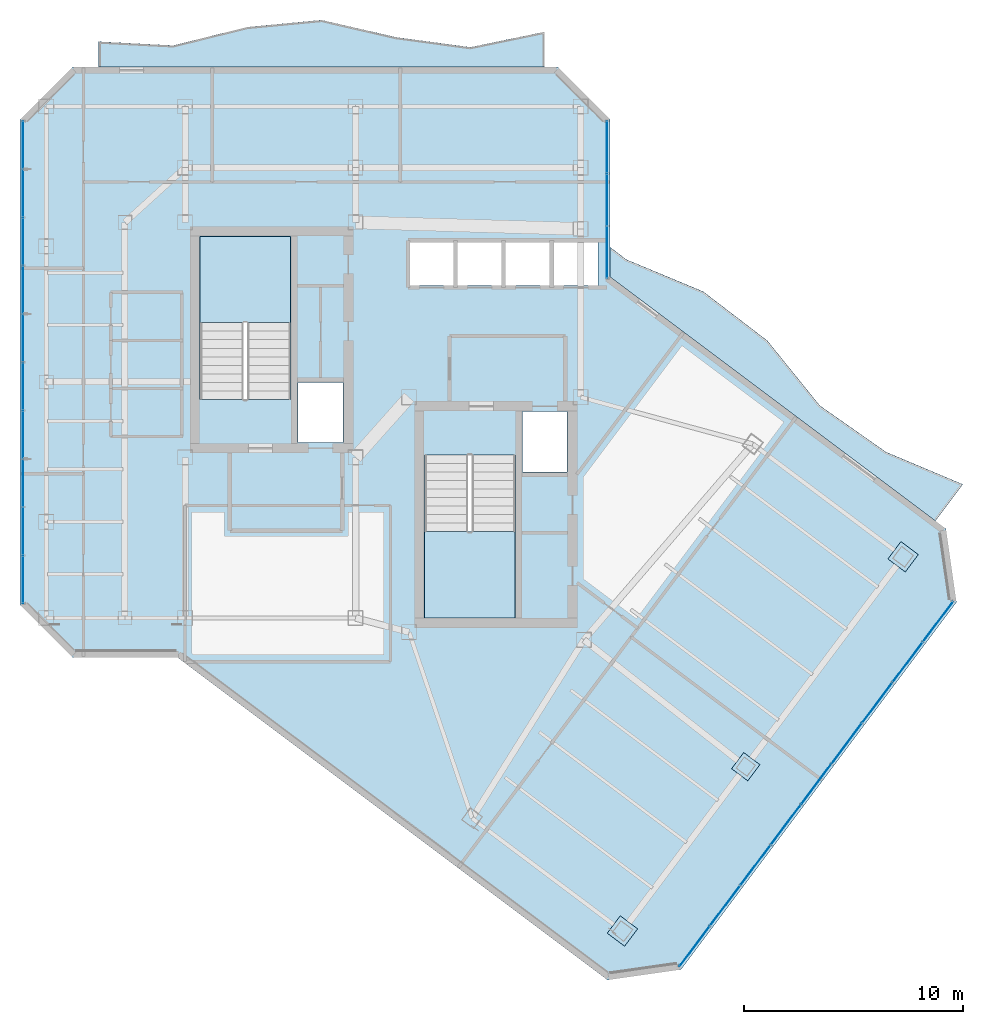
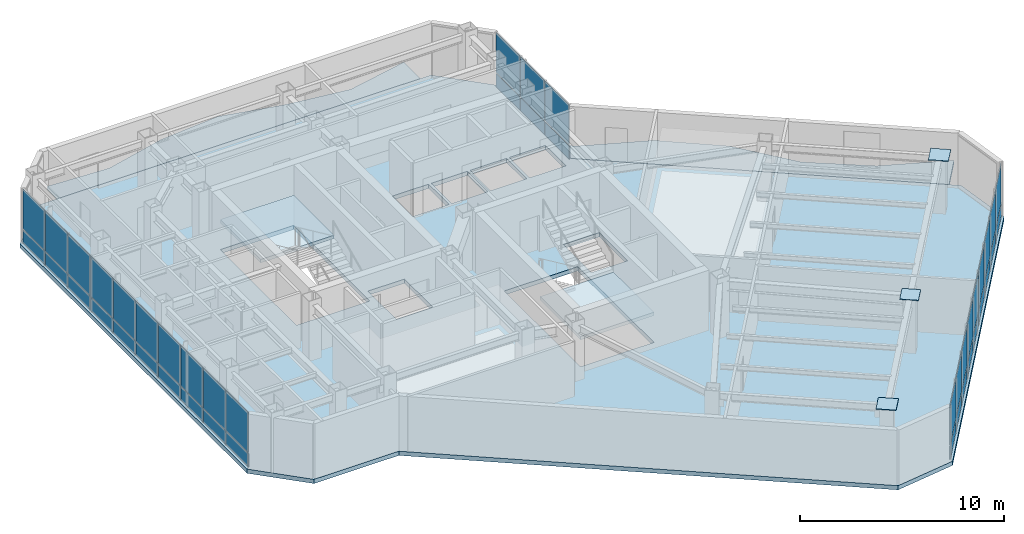
# One storey, part 18 of 25: 47 plates, 5 slabs, 5 elements without a shape of their own.
"""IFC4 building model written with IfcOpenShell, lengths in metres."""

from ifc_helpers import new_model, si_unit, direction, frame, origin, origin_2d, place, context, subcontext, project, spatial, polyline, rectangle, outline, extrude, material, layer, layer_set, type_object, element, aggregate, save


model = new_model("IFC4")

# Units and contexts
model_context = context("Model", 3, precision=1e-05, world=origin(), true_north=direction((0.0, 1.0)))
body_context = subcontext(model_context, "Body", "Model", "MODEL_VIEW")
ifc_project = project(units=[si_unit("LENGTHUNIT", "METRE"), si_unit("AREAUNIT", "SQUARE_METRE"), si_unit("VOLUMEUNIT", "CUBIC_METRE"), si_unit("PLANEANGLEUNIT", "RADIAN"), si_unit("MASSUNIT", "GRAM", prefix="KILO")], contexts=[model_context])

# Site, building, storey
site_placement = place(None, origin())
site = spatial("IfcSite", under=ifc_project, at=site_placement, CompositionType="ELEMENT")
building_placement = place(site_placement, origin())
building = spatial("IfcBuilding", under=site, at=building_placement, Name="Hatsunagi Terrace Concourse", CompositionType="ELEMENT")
storey_placement = place(building_placement, frame((0.0, 0.0, 231.14990234375)))
storey = spatial("IfcBuildingStorey", under=building, at=storey_placement, Name="L61", CompositionType="ELEMENT", Elevation=231.14990234375)

# Plates
ifc_material_1 = material(Name="Steel SN490C", Category="steel")
ifc_layer_1 = layer(ifc_material_1, 0.031982421875)
ifc_layer_set_1 = layer_set([ifc_layer_1], Name="ColumnEndCapPlate_32")
plate_type_1 = type_object("IfcPlateType", Name="ColumnEndCapPlate_32", PredefinedType="USERDEFINED", material=ifc_layer_set_1)
for number, where, z_axis, x_axis, name in (
    (1, (45.56005859375, 10.8798828125, 3.26806640625), (0.0, 0.0, 1.0), (0.799999996291, -0.600000004945, 0.0), "Hollow Column Top Cap Plate GP-03 L61-SES2"),
    (2, (58.39990234375, 28.0, 3.26806640625), (0.0, 0.0, 1.0), (0.799999996291, -0.600000004945, 0.0), "Hollow Column Top Cap Plate GP-03 L61-SEN2"),
):
    element("IfcPlate", number, at=place(storey_placement, frame(where, z_axis=z_axis, x_axis=x_axis)), inside=storey, type_object=plate_type_1, Name=name, ObjectType="GUSSET_PLATE", PredefinedType="USERDEFINED", context=body_context, shape_type="SweptSolid", body=[
        extrude(rectangle(XDim=0.993896484375, YDim=0.993896484375, at=origin_2d()), origin(), (0.0, 0.0, 1.0), 0.031982421875),
    ])
plate_1_placement = place(storey_placement, frame((51.199951171875, 18.39990234375, 3.26806640625), z_axis=(0.0, 0.0, 1.0), x_axis=(0.799999996291, -0.600000004945, 0.0)))
element("IfcPlate", 3, at=plate_1_placement, inside=storey, type_object=plate_type_1, Name="Hollow Column Top Cap Plate GP-03 L61-SEM2", ObjectType="GUSSET_PLATE", PredefinedType="USERDEFINED", context=body_context, shape_type="SweptSolid", body=[
    extrude(rectangle(XDim=0.923095703125, YDim=0.923095703125, at=origin_2d()), origin(), (0.0, 0.0, 1.0), 0.031982421875),
])

# Curtain wall, plates
ifc_material_2 = material(Name="Anodised Aluminium Alloy 6063-T5", Category="aluminium")
ifc_layer_2 = layer(ifc_material_2, 0.199951171875)
ifc_layer_set_2 = layer_set([ifc_layer_2], Name="OfficeZone2_CW04")
curtain_wall_type = type_object("IfcCurtainWallType", Name="OfficeZone2_CW04", PredefinedType="NOTDEFINED", material=ifc_layer_set_2)
curtain_wall_1_placement = place(storey_placement, origin())
curtain_wall_1 = element("IfcCurtainWall", 4, at=curtain_wall_1_placement, inside=storey, type_object=curtain_wall_type, Name="Unitised Curtain Wall CW-04 CW-L61-03", PredefinedType="NOTDEFINED")
ifc_material_3 = material(Name="Warm Terracotta Ceramic Spandrel Panel", Category="masonry")
ifc_layer_3 = layer(ifc_material_3, 0.031982421875)
ifc_layer_set_3 = layer_set([ifc_layer_3], Name="CurtainWallSpandrelPanel_32")
plate_type_2 = type_object("IfcPlateType", Name="CurtainWallSpandrelPanel_32", PredefinedType="SHEET", material=ifc_layer_set_3)
plate_2_placement = place(storey_placement, frame((59.9970703125, 25.030029296875, 0.030029296875), z_axis=(0.0, 0.0, 1.0), x_axis=(-0.599969314634, -0.800023013105, 0.0)))
plate_2 = element("IfcPlate", 5, at=plate_2_placement, type_object=plate_type_2, Name="Terracotta Spandrel Panel SPN-01", PredefinedType="SHEET", context=body_context, shape_type="SweptSolid", body=[
    extrude(rectangle(XDim=2.264892578125, YDim=0.031982421875, at=origin_2d()), origin(), (0.0, 0.0, 1.0), 0.7900390625),
])
plate_3_placement = place(storey_placement, frame((58.60498046875, 23.173095703125, 0.030029296875), z_axis=(0.0, 0.0, 1.0), x_axis=(-0.599969314634, -0.800023013105, 0.0)))
plate_3 = element("IfcPlate", 6, at=plate_3_placement, type_object=plate_type_2, Name="Terracotta Spandrel Panel SPN-01", PredefinedType="SHEET", context=body_context, shape_type="SweptSolid", body=[
    extrude(rectangle(XDim=2.264892578125, YDim=0.031982421875, at=origin_2d()), origin(), (0.0, 0.0, 1.0), 0.7900390625),
])
plate_4_placement = place(storey_placement, frame((57.2119140625, 21.31689453125, 0.030029296875), z_axis=(0.0, 0.0, 1.0), x_axis=(-0.599969314634, -0.800023013105, 0.0)))
plate_4 = element("IfcPlate", 7, at=plate_4_placement, type_object=plate_type_2, Name="Terracotta Spandrel Panel SPN-01", PredefinedType="SHEET", context=body_context, shape_type="SweptSolid", body=[
    extrude(rectangle(XDim=2.264892578125, YDim=0.031982421875, at=origin_2d()), origin(), (0.0, 0.0, 1.0), 0.7900390625),
])
plate_5_placement = place(storey_placement, frame((55.820068359375, 19.4599609375, 0.030029296875), z_axis=(0.0, 0.0, 1.0), x_axis=(-0.599969314634, -0.800023013105, 0.0)))
plate_5 = element("IfcPlate", 8, at=plate_5_placement, type_object=plate_type_2, Name="Terracotta Spandrel Panel SPN-01", PredefinedType="SHEET", context=body_context, shape_type="SweptSolid", body=[
    extrude(rectangle(XDim=2.264892578125, YDim=0.031982421875, at=origin_2d()), origin(), (0.0, 0.0, 1.0), 0.7900390625),
])
plate_6_placement = place(storey_placement, frame((54.427978515625, 17.60400390625, 0.030029296875), z_axis=(0.0, 0.0, 1.0), x_axis=(-0.599969314634, -0.800023013105, 0.0)))
plate_6 = element("IfcPlate", 9, at=plate_6_placement, type_object=plate_type_2, Name="Terracotta Spandrel Panel SPN-01", PredefinedType="SHEET", context=body_context, shape_type="SweptSolid", body=[
    extrude(rectangle(XDim=2.264892578125, YDim=0.031982421875, at=origin_2d()), origin(), (0.0, 0.0, 1.0), 0.7900390625),
])
plate_7_placement = place(storey_placement, frame((53.035888671875, 15.748046875, 0.030029296875), z_axis=(0.0, 0.0, 1.0), x_axis=(-0.599969314634, -0.800023013105, 0.0)))
plate_7 = element("IfcPlate", 10, at=plate_7_placement, type_object=plate_type_2, Name="Terracotta Spandrel Panel SPN-01", PredefinedType="SHEET", context=body_context, shape_type="SweptSolid", body=[
    extrude(rectangle(XDim=2.264892578125, YDim=0.031982421875, at=origin_2d()), origin(), (0.0, 0.0, 1.0), 0.7900390625),
])
plate_8_placement = place(storey_placement, frame((51.64404296875, 13.89111328125, 0.030029296875), z_axis=(0.0, 0.0, 1.0), x_axis=(-0.599969314634, -0.800023013105, 0.0)))
plate_8 = element("IfcPlate", 11, at=plate_8_placement, type_object=plate_type_2, Name="Terracotta Spandrel Panel SPN-01", PredefinedType="SHEET", context=body_context, shape_type="SweptSolid", body=[
    extrude(rectangle(XDim=2.264892578125, YDim=0.031982421875, at=origin_2d()), origin(), (0.0, 0.0, 1.0), 0.7900390625),
])
plate_9_placement = place(storey_placement, frame((50.2509765625, 12.034912109375, 0.030029296875), z_axis=(0.0, 0.0, 1.0), x_axis=(-0.599969314634, -0.800023013105, 0.0)))
plate_9 = element("IfcPlate", 12, at=plate_9_placement, type_object=plate_type_2, Name="Terracotta Spandrel Panel SPN-01", PredefinedType="SHEET", context=body_context, shape_type="SweptSolid", body=[
    extrude(rectangle(XDim=2.264892578125, YDim=0.031982421875, at=origin_2d()), origin(), (0.0, 0.0, 1.0), 0.7900390625),
])
plate_10_placement = place(storey_placement, frame((48.85888671875, 10.177978515625, 0.030029296875), z_axis=(0.0, 0.0, 1.0), x_axis=(-0.599969314634, -0.800023013105, 0.0)))
plate_10 = element("IfcPlate", 13, at=plate_10_placement, type_object=plate_type_2, Name="Terracotta Spandrel Panel SPN-01", PredefinedType="SHEET", context=body_context, shape_type="SweptSolid", body=[
    extrude(rectangle(XDim=2.264892578125, YDim=0.031982421875, at=origin_2d()), origin(), (0.0, 0.0, 1.0), 0.7900390625),
])

curtain_wall_2_placement = place(storey_placement, origin())
curtain_wall_2 = element("IfcCurtainWall", 14, at=curtain_wall_2_placement, inside=storey, type_object=curtain_wall_type, Name="Unitised Curtain Wall CW-04 CW-L61-08", PredefinedType="NOTDEFINED")
plate_11_placement = place(storey_placement, frame((18.139892578125, 26.9619140625, 0.030029296875), z_axis=(0.0, 0.0, 1.0), x_axis=(0.0, 1.0, 0.0)))
plate_11 = element("IfcPlate", 15, at=plate_11_placement, type_object=plate_type_2, Name="Terracotta Spandrel Panel SPN-01", PredefinedType="SHEET", context=body_context, shape_type="SweptSolid", body=[
    extrude(rectangle(XDim=2.153076171875, YDim=0.031982421875, at=origin_2d()), origin(), (0.0, 0.0, 1.0), 0.7900390625),
])
plate_12_placement = place(storey_placement, frame((18.139892578125, 29.1708984375, 0.030029296875), z_axis=(0.0, 0.0, 1.0), x_axis=(0.0, 1.0, 0.0)))
plate_12 = element("IfcPlate", 16, at=plate_12_placement, type_object=plate_type_2, Name="Terracotta Spandrel Panel SPN-01", PredefinedType="SHEET", context=body_context, shape_type="SweptSolid", body=[
    extrude(rectangle(XDim=2.153076171875, YDim=0.031982421875, at=origin_2d()), origin(), (0.0, 0.0, 1.0), 0.7900390625),
])
plate_13_placement = place(storey_placement, frame((18.139892578125, 31.37890625, 0.030029296875), z_axis=(0.0, 0.0, 1.0), x_axis=(0.0, 1.0, 0.0)))
plate_13 = element("IfcPlate", 17, at=plate_13_placement, type_object=plate_type_2, Name="Terracotta Spandrel Panel SPN-01", PredefinedType="SHEET", context=body_context, shape_type="SweptSolid", body=[
    extrude(rectangle(XDim=2.153076171875, YDim=0.031982421875, at=origin_2d()), origin(), (0.0, 0.0, 1.0), 0.7900390625),
])
plate_14_placement = place(storey_placement, frame((18.139892578125, 33.5869140625, 0.030029296875), z_axis=(0.0, 0.0, 1.0), x_axis=(0.0, 1.0, 0.0)))
plate_14 = element("IfcPlate", 18, at=plate_14_placement, type_object=plate_type_2, Name="Terracotta Spandrel Panel SPN-01", PredefinedType="SHEET", context=body_context, shape_type="SweptSolid", body=[
    extrude(rectangle(XDim=2.153076171875, YDim=0.031982421875, at=origin_2d()), origin(), (0.0, 0.0, 1.0), 0.7900390625),
])
plate_15_placement = place(storey_placement, frame((18.139892578125, 35.7958984375, 0.030029296875), z_axis=(0.0, 0.0, 1.0), x_axis=(0.0, 1.0, 0.0)))
plate_15 = element("IfcPlate", 19, at=plate_15_placement, type_object=plate_type_2, Name="Terracotta Spandrel Panel SPN-01", PredefinedType="SHEET", context=body_context, shape_type="SweptSolid", body=[
    extrude(rectangle(XDim=2.153076171875, YDim=0.031982421875, at=origin_2d()), origin(), (0.0, 0.0, 1.0), 0.7900390625),
])
plate_16_placement = place(storey_placement, frame((18.139892578125, 38.00390625, 0.030029296875), z_axis=(0.0, 0.0, 1.0), x_axis=(0.0, 1.0, 0.0)))
plate_16 = element("IfcPlate", 20, at=plate_16_placement, type_object=plate_type_2, Name="Terracotta Spandrel Panel SPN-01", PredefinedType="SHEET", context=body_context, shape_type="SweptSolid", body=[
    extrude(rectangle(XDim=2.153076171875, YDim=0.031982421875, at=origin_2d()), origin(), (0.0, 0.0, 1.0), 0.7900390625),
])
plate_17_placement = place(storey_placement, frame((18.139892578125, 40.212890625, 0.030029296875), z_axis=(0.0, 0.0, 1.0), x_axis=(0.0, 1.0, 0.0)))
plate_17 = element("IfcPlate", 21, at=plate_17_placement, type_object=plate_type_2, Name="Terracotta Spandrel Panel SPN-01", PredefinedType="SHEET", context=body_context, shape_type="SweptSolid", body=[
    extrude(rectangle(XDim=2.153076171875, YDim=0.031982421875, at=origin_2d()), origin(), (0.0, 0.0, 1.0), 0.7900390625),
])
plate_18_placement = place(storey_placement, frame((18.139892578125, 42.4208984375, 0.030029296875), z_axis=(0.0, 0.0, 1.0), x_axis=(0.0, 1.0, 0.0)))
plate_18 = element("IfcPlate", 22, at=plate_18_placement, type_object=plate_type_2, Name="Terracotta Spandrel Panel SPN-01", PredefinedType="SHEET", context=body_context, shape_type="SweptSolid", body=[
    extrude(rectangle(XDim=2.153076171875, YDim=0.031982421875, at=origin_2d()), origin(), (0.0, 0.0, 1.0), 0.7900390625),
])
plate_19_placement = place(storey_placement, frame((18.139892578125, 44.62890625, 0.030029296875), z_axis=(0.0, 0.0, 1.0), x_axis=(0.0, 1.0, 0.0)))
plate_19 = element("IfcPlate", 23, at=plate_19_placement, type_object=plate_type_2, Name="Terracotta Spandrel Panel SPN-01", PredefinedType="SHEET", context=body_context, shape_type="SweptSolid", body=[
    extrude(rectangle(XDim=2.153076171875, YDim=0.031982421875, at=origin_2d()), origin(), (0.0, 0.0, 1.0), 0.7900390625),
])
plate_20_placement = place(storey_placement, frame((18.139892578125, 46.837890625, 0.030029296875), z_axis=(0.0, 0.0, 1.0), x_axis=(0.0, 1.0, 0.0)))
plate_20 = element("IfcPlate", 24, at=plate_20_placement, type_object=plate_type_2, Name="Terracotta Spandrel Panel SPN-01", PredefinedType="SHEET", context=body_context, shape_type="SweptSolid", body=[
    extrude(rectangle(XDim=2.153076171875, YDim=0.031982421875, at=origin_2d()), origin(), (0.0, 0.0, 1.0), 0.7900390625),
])

curtain_wall_3_placement = place(storey_placement, origin())
curtain_wall_3 = element("IfcCurtainWall", 25, at=curtain_wall_3_placement, inside=storey, type_object=curtain_wall_type, Name="Unitised Curtain Wall CW-04 CW-L61-12", PredefinedType="NOTDEFINED")
plate_21_placement = place(storey_placement, frame((44.860107421875, 46.739990234375, 0.030029296875), z_axis=(0.0, 0.0, 1.0), x_axis=(0.0, -1.0, 0.0)))
plate_21 = element("IfcPlate", 26, at=plate_21_placement, type_object=plate_type_2, Name="Terracotta Spandrel Panel SPN-01", PredefinedType="SHEET", context=body_context, shape_type="SweptSolid", body=[
    extrude(rectangle(XDim=2.34912109375, YDim=0.031982421875, at=origin_2d()), origin(), (0.0, 0.0, 1.0), 0.7900390625),
])
plate_22_placement = place(storey_placement, frame((44.860107421875, 44.3359375, 0.030029296875), z_axis=(0.0, 0.0, 1.0), x_axis=(0.0, -1.0, 0.0)))
plate_22 = element("IfcPlate", 27, at=plate_22_placement, type_object=plate_type_2, Name="Terracotta Spandrel Panel SPN-01", PredefinedType="SHEET", context=body_context, shape_type="SweptSolid", body=[
    extrude(rectangle(XDim=2.34912109375, YDim=0.031982421875, at=origin_2d()), origin(), (0.0, 0.0, 1.0), 0.7900390625),
])
plate_23_placement = place(storey_placement, frame((44.860107421875, 41.931884765625, 0.030029296875), z_axis=(0.0, 0.0, 1.0), x_axis=(0.0, -1.0, 0.0)))
plate_23 = element("IfcPlate", 28, at=plate_23_placement, type_object=plate_type_2, Name="Terracotta Spandrel Panel SPN-01", PredefinedType="SHEET", context=body_context, shape_type="SweptSolid", body=[
    extrude(rectangle(XDim=2.34912109375, YDim=0.031982421875, at=origin_2d()), origin(), (0.0, 0.0, 1.0), 0.7900390625),
])

# Plate
ifc_material_4 = material(Name="Low-E Double Insulating Glass 28mm", Category="glass")
ifc_layer_4 = layer(ifc_material_4, 0.028076171875)
ifc_layer_set_4 = layer_set([ifc_layer_4], Name="CurtainWallVisionGlass_28")
plate_type_3 = type_object("IfcPlateType", Name="CurtainWallVisionGlass_28", PredefinedType="CURTAIN_PANEL", material=ifc_layer_set_4)
plate_24_placement = place(storey_placement, frame((59.9970703125, 25.030029296875, 0.88037109375), z_axis=(0.0, 0.0, 1.0), x_axis=(-0.599969314634, -0.800023013105, 0.0)))
plate_24 = element("IfcPlate", 29, at=plate_24_placement, type_object=plate_type_3, Name="Low-E Vision Glass Panel GLZ-01", PredefinedType="CURTAIN_PANEL", context=body_context, shape_type="SweptSolid", body=[
    extrude(rectangle(XDim=2.264892578125, YDim=0.028076171875, at=origin_2d()), origin(), (0.0, 0.0, 1.0), 2.389892578125),
])

plate_25_placement = place(storey_placement, frame((58.60498046875, 23.173095703125, 0.88037109375), z_axis=(0.0, 0.0, 1.0), x_axis=(-0.599969314634, -0.800023013105, 0.0)))
plate_25 = element("IfcPlate", 30, at=plate_25_placement, type_object=plate_type_3, Name="Low-E Vision Glass Panel GLZ-01", PredefinedType="CURTAIN_PANEL", context=body_context, shape_type="SweptSolid", body=[
    extrude(rectangle(XDim=2.264892578125, YDim=0.028076171875, at=origin_2d()), origin(), (0.0, 0.0, 1.0), 2.389892578125),
])

plate_26_placement = place(storey_placement, frame((57.2119140625, 21.31689453125, 0.88037109375), z_axis=(0.0, 0.0, 1.0), x_axis=(-0.599969314634, -0.800023013105, 0.0)))
plate_26 = element("IfcPlate", 31, at=plate_26_placement, type_object=plate_type_3, Name="Low-E Vision Glass Panel GLZ-01", PredefinedType="CURTAIN_PANEL", context=body_context, shape_type="SweptSolid", body=[
    extrude(rectangle(XDim=2.264892578125, YDim=0.028076171875, at=origin_2d()), origin(), (0.0, 0.0, 1.0), 2.389892578125),
])

plate_27_placement = place(storey_placement, frame((55.820068359375, 19.4599609375, 0.88037109375), z_axis=(0.0, 0.0, 1.0), x_axis=(-0.599969314634, -0.800023013105, 0.0)))
plate_27 = element("IfcPlate", 32, at=plate_27_placement, type_object=plate_type_3, Name="Low-E Vision Glass Panel GLZ-01", PredefinedType="CURTAIN_PANEL", context=body_context, shape_type="SweptSolid", body=[
    extrude(rectangle(XDim=2.264892578125, YDim=0.028076171875, at=origin_2d()), origin(), (0.0, 0.0, 1.0), 2.389892578125),
])

plate_28_placement = place(storey_placement, frame((54.427978515625, 17.60400390625, 0.88037109375), z_axis=(0.0, 0.0, 1.0), x_axis=(-0.599969314634, -0.800023013105, 0.0)))
plate_28 = element("IfcPlate", 33, at=plate_28_placement, type_object=plate_type_3, Name="Low-E Vision Glass Panel GLZ-01", PredefinedType="CURTAIN_PANEL", context=body_context, shape_type="SweptSolid", body=[
    extrude(rectangle(XDim=2.264892578125, YDim=0.028076171875, at=origin_2d()), origin(), (0.0, 0.0, 1.0), 2.389892578125),
])

plate_29_placement = place(storey_placement, frame((53.035888671875, 15.748046875, 0.88037109375), z_axis=(0.0, 0.0, 1.0), x_axis=(-0.599969314634, -0.800023013105, 0.0)))
plate_29 = element("IfcPlate", 34, at=plate_29_placement, type_object=plate_type_3, Name="Low-E Vision Glass Panel GLZ-01", PredefinedType="CURTAIN_PANEL", context=body_context, shape_type="SweptSolid", body=[
    extrude(rectangle(XDim=2.264892578125, YDim=0.028076171875, at=origin_2d()), origin(), (0.0, 0.0, 1.0), 2.389892578125),
])

plate_30_placement = place(storey_placement, frame((51.64404296875, 13.89111328125, 0.88037109375), z_axis=(0.0, 0.0, 1.0), x_axis=(-0.599969314634, -0.800023013105, 0.0)))
plate_30 = element("IfcPlate", 35, at=plate_30_placement, type_object=plate_type_3, Name="Low-E Vision Glass Panel GLZ-01", PredefinedType="CURTAIN_PANEL", context=body_context, shape_type="SweptSolid", body=[
    extrude(rectangle(XDim=2.264892578125, YDim=0.028076171875, at=origin_2d()), origin(), (0.0, 0.0, 1.0), 2.389892578125),
])

plate_31_placement = place(storey_placement, frame((50.2509765625, 12.034912109375, 0.88037109375), z_axis=(0.0, 0.0, 1.0), x_axis=(-0.599969314634, -0.800023013105, 0.0)))
plate_31 = element("IfcPlate", 36, at=plate_31_placement, type_object=plate_type_3, Name="Low-E Vision Glass Panel GLZ-01", PredefinedType="CURTAIN_PANEL", context=body_context, shape_type="SweptSolid", body=[
    extrude(rectangle(XDim=2.264892578125, YDim=0.028076171875, at=origin_2d()), origin(), (0.0, 0.0, 1.0), 2.389892578125),
])

plate_32_placement = place(storey_placement, frame((48.85888671875, 10.177978515625, 0.88037109375), z_axis=(0.0, 0.0, 1.0), x_axis=(-0.599969314634, -0.800023013105, 0.0)))
plate_32 = element("IfcPlate", 37, at=plate_32_placement, type_object=plate_type_3, Name="Low-E Vision Glass Panel GLZ-01", PredefinedType="CURTAIN_PANEL", context=body_context, shape_type="SweptSolid", body=[
    extrude(rectangle(XDim=2.264892578125, YDim=0.028076171875, at=origin_2d()), origin(), (0.0, 0.0, 1.0), 2.389892578125),
])

aggregate(curtain_wall_1, [plate_2, plate_24, plate_3, plate_25, plate_4, plate_26, plate_5, plate_27, plate_6, plate_28, plate_7, plate_29, plate_8, plate_30, plate_9, plate_31, plate_10, plate_32])

plate_33_placement = place(storey_placement, frame((18.139892578125, 26.9619140625, 0.88037109375), z_axis=(0.0, 0.0, 1.0), x_axis=(0.0, 1.0, 0.0)))
plate_33 = element("IfcPlate", 38, at=plate_33_placement, type_object=plate_type_3, Name="Low-E Vision Glass Panel GLZ-01", PredefinedType="CURTAIN_PANEL", context=body_context, shape_type="SweptSolid", body=[
    extrude(rectangle(XDim=2.153076171875, YDim=0.028076171875, at=origin_2d()), origin(), (0.0, 0.0, 1.0), 2.389892578125),
])

plate_34_placement = place(storey_placement, frame((18.139892578125, 29.1708984375, 0.88037109375), z_axis=(0.0, 0.0, 1.0), x_axis=(0.0, 1.0, 0.0)))
plate_34 = element("IfcPlate", 39, at=plate_34_placement, type_object=plate_type_3, Name="Low-E Vision Glass Panel GLZ-01", PredefinedType="CURTAIN_PANEL", context=body_context, shape_type="SweptSolid", body=[
    extrude(rectangle(XDim=2.153076171875, YDim=0.028076171875, at=origin_2d()), origin(), (0.0, 0.0, 1.0), 2.389892578125),
])

plate_35_placement = place(storey_placement, frame((18.139892578125, 31.37890625, 0.88037109375), z_axis=(0.0, 0.0, 1.0), x_axis=(0.0, 1.0, 0.0)))
plate_35 = element("IfcPlate", 40, at=plate_35_placement, type_object=plate_type_3, Name="Low-E Vision Glass Panel GLZ-01", PredefinedType="CURTAIN_PANEL", context=body_context, shape_type="SweptSolid", body=[
    extrude(rectangle(XDim=2.153076171875, YDim=0.028076171875, at=origin_2d()), origin(), (0.0, 0.0, 1.0), 2.389892578125),
])

plate_36_placement = place(storey_placement, frame((18.139892578125, 33.5869140625, 0.88037109375), z_axis=(0.0, 0.0, 1.0), x_axis=(0.0, 1.0, 0.0)))
plate_36 = element("IfcPlate", 41, at=plate_36_placement, type_object=plate_type_3, Name="Low-E Vision Glass Panel GLZ-01", PredefinedType="CURTAIN_PANEL", context=body_context, shape_type="SweptSolid", body=[
    extrude(rectangle(XDim=2.153076171875, YDim=0.028076171875, at=origin_2d()), origin(), (0.0, 0.0, 1.0), 2.389892578125),
])

plate_37_placement = place(storey_placement, frame((18.139892578125, 35.7958984375, 0.88037109375), z_axis=(0.0, 0.0, 1.0), x_axis=(0.0, 1.0, 0.0)))
plate_37 = element("IfcPlate", 42, at=plate_37_placement, type_object=plate_type_3, Name="Low-E Vision Glass Panel GLZ-01", PredefinedType="CURTAIN_PANEL", context=body_context, shape_type="SweptSolid", body=[
    extrude(rectangle(XDim=2.153076171875, YDim=0.028076171875, at=origin_2d()), origin(), (0.0, 0.0, 1.0), 2.389892578125),
])

plate_38_placement = place(storey_placement, frame((18.139892578125, 38.00390625, 0.88037109375), z_axis=(0.0, 0.0, 1.0), x_axis=(0.0, 1.0, 0.0)))
plate_38 = element("IfcPlate", 43, at=plate_38_placement, type_object=plate_type_3, Name="Low-E Vision Glass Panel GLZ-01", PredefinedType="CURTAIN_PANEL", context=body_context, shape_type="SweptSolid", body=[
    extrude(rectangle(XDim=2.153076171875, YDim=0.028076171875, at=origin_2d()), origin(), (0.0, 0.0, 1.0), 2.389892578125),
])

plate_39_placement = place(storey_placement, frame((18.139892578125, 40.212890625, 0.88037109375), z_axis=(0.0, 0.0, 1.0), x_axis=(0.0, 1.0, 0.0)))
plate_39 = element("IfcPlate", 44, at=plate_39_placement, type_object=plate_type_3, Name="Low-E Vision Glass Panel GLZ-01", PredefinedType="CURTAIN_PANEL", context=body_context, shape_type="SweptSolid", body=[
    extrude(rectangle(XDim=2.153076171875, YDim=0.028076171875, at=origin_2d()), origin(), (0.0, 0.0, 1.0), 2.389892578125),
])

plate_40_placement = place(storey_placement, frame((18.139892578125, 42.4208984375, 0.88037109375), z_axis=(0.0, 0.0, 1.0), x_axis=(0.0, 1.0, 0.0)))
plate_40 = element("IfcPlate", 45, at=plate_40_placement, type_object=plate_type_3, Name="Low-E Vision Glass Panel GLZ-01", PredefinedType="CURTAIN_PANEL", context=body_context, shape_type="SweptSolid", body=[
    extrude(rectangle(XDim=2.153076171875, YDim=0.028076171875, at=origin_2d()), origin(), (0.0, 0.0, 1.0), 2.389892578125),
])

plate_41_placement = place(storey_placement, frame((18.139892578125, 44.62890625, 0.88037109375), z_axis=(0.0, 0.0, 1.0), x_axis=(0.0, 1.0, 0.0)))
plate_41 = element("IfcPlate", 46, at=plate_41_placement, type_object=plate_type_3, Name="Low-E Vision Glass Panel GLZ-01", PredefinedType="CURTAIN_PANEL", context=body_context, shape_type="SweptSolid", body=[
    extrude(rectangle(XDim=2.153076171875, YDim=0.028076171875, at=origin_2d()), origin(), (0.0, 0.0, 1.0), 2.389892578125),
])

plate_42_placement = place(storey_placement, frame((18.139892578125, 46.837890625, 0.88037109375), z_axis=(0.0, 0.0, 1.0), x_axis=(0.0, 1.0, 0.0)))
plate_42 = element("IfcPlate", 47, at=plate_42_placement, type_object=plate_type_3, Name="Low-E Vision Glass Panel GLZ-01", PredefinedType="CURTAIN_PANEL", context=body_context, shape_type="SweptSolid", body=[
    extrude(rectangle(XDim=2.153076171875, YDim=0.028076171875, at=origin_2d()), origin(), (0.0, 0.0, 1.0), 2.389892578125),
])

aggregate(curtain_wall_2, [plate_11, plate_33, plate_12, plate_34, plate_13, plate_35, plate_14, plate_36, plate_15, plate_37, plate_16, plate_38, plate_17, plate_39, plate_18, plate_40, plate_19, plate_41, plate_20, plate_42])

plate_43_placement = place(storey_placement, frame((44.860107421875, 46.739990234375, 0.88037109375), z_axis=(0.0, 0.0, 1.0), x_axis=(0.0, -1.0, 0.0)))
plate_43 = element("IfcPlate", 48, at=plate_43_placement, type_object=plate_type_3, Name="Low-E Vision Glass Panel GLZ-01", PredefinedType="CURTAIN_PANEL", context=body_context, shape_type="SweptSolid", body=[
    extrude(rectangle(XDim=2.34912109375, YDim=0.028076171875, at=origin_2d()), origin(), (0.0, 0.0, 1.0), 2.389892578125),
])

plate_44_placement = place(storey_placement, frame((44.860107421875, 44.3359375, 0.88037109375), z_axis=(0.0, 0.0, 1.0), x_axis=(0.0, -1.0, 0.0)))
plate_44 = element("IfcPlate", 49, at=plate_44_placement, type_object=plate_type_3, Name="Low-E Vision Glass Panel GLZ-01", PredefinedType="CURTAIN_PANEL", context=body_context, shape_type="SweptSolid", body=[
    extrude(rectangle(XDim=2.34912109375, YDim=0.028076171875, at=origin_2d()), origin(), (0.0, 0.0, 1.0), 2.389892578125),
])

plate_45_placement = place(storey_placement, frame((44.860107421875, 41.931884765625, 0.88037109375), z_axis=(0.0, 0.0, 1.0), x_axis=(0.0, -1.0, 0.0)))
plate_45 = element("IfcPlate", 50, at=plate_45_placement, type_object=plate_type_3, Name="Low-E Vision Glass Panel GLZ-01", PredefinedType="CURTAIN_PANEL", context=body_context, shape_type="SweptSolid", body=[
    extrude(rectangle(XDim=2.34912109375, YDim=0.028076171875, at=origin_2d()), origin(), (0.0, 0.0, 1.0), 2.389892578125),
])

aggregate(curtain_wall_3, [plate_21, plate_43, plate_22, plate_44, plate_23, plate_45])

# Stair, slab
ifc_material_5 = material(Name="Concrete Fc42", Category="concrete")
stair_type = type_object("IfcStairType", Name="DoglegExitStair_Tower2000_20R_180", PredefinedType="HALF_TURN_STAIR", material=ifc_material_5)
stair_1_placement = place(storey_placement, origin())
stair_1 = element("IfcStair", 51, at=stair_1_placement, inside=storey, type_object=stair_type, Name="L61 Core A Protected Exit Stair ST-A", PredefinedType="HALF_TURN_STAIR")
ifc_material_6 = material(Name="Concrete Fc42", Category="concrete")
ifc_layer_5 = layer(ifc_material_6, 0.199951171875)
ifc_layer_set_5 = layer_set([ifc_layer_5], Name="DoglegStairLanding_Tower2000")
slab_type_1 = type_object("IfcSlabType", Name="DoglegStairLanding_Tower2000", PredefinedType="LANDING", material=ifc_layer_set_5)
slab_1_placement = place(storey_placement, frame((0.0, 0.0, 1.60009765625)))
slab_1 = element("IfcSlab", 52, at=slab_1_placement, type_object=slab_type_1, Name="ST-A landing 1", PredefinedType="LANDING", context=body_context, shape_type="SweptSolid", body=[
    extrude(outline(polyline([(30.3798828125, 38.7099609375), (30.3798828125, 42.659912109375), (26.22998046875, 42.659912109375), (26.22998046875, 38.7099609375), (30.3798828125, 38.7099609375)])), origin(), (0.0, 0.0, 1.0), 0.199951171875),
])
aggregate(stair_1, [slab_1])

stair_2_placement = place(storey_placement, origin())
stair_2 = element("IfcStair", 53, at=stair_2_placement, inside=storey, type_object=stair_type, Name="L61 Core B Protected Exit Stair ST-B", PredefinedType="HALF_TURN_STAIR")
slab_2_placement = place(storey_placement, frame((0.0, 0.0, 1.60009765625)))
slab_2 = element("IfcSlab", 54, at=slab_2_placement, type_object=slab_type_1, Name="ST-B landing 1", PredefinedType="LANDING", context=body_context, shape_type="SweptSolid", body=[
    extrude(outline(polyline([(36.5, 29.14990234375), (36.5, 25.199951171875), (40.64990234375, 25.199951171875), (40.64990234375, 29.14990234375), (36.5, 29.14990234375)])), origin(), (0.0, 0.0, 1.0), 0.199951171875),
])
aggregate(stair_2, [slab_2])

# Slabs
ifc_material_7 = material(Name="Concrete Fc42", Category="concrete")
ifc_layer_6 = layer(ifc_material_7, 0.199951171875)
ifc_layer_set_6 = layer_set([ifc_layer_6], Name="EngawaBalconySlab_Fc42_200")
slab_type_2 = type_object("IfcSlabType", Name="EngawaBalconySlab_Fc42_200", PredefinedType="FLOOR", material=ifc_layer_set_6)
slab_3_placement = place(storey_placement, frame((0.0, 0.0, -0.199951171875)))
element("IfcSlab", 55, at=slab_3_placement, inside=storey, type_object=slab_type_2, Name="Engawa Balcony Slab BAL-L61-BN", PredefinedType="FLOOR", context=body_context, shape_type="SweptSolid", body=[
    extrude(outline(polyline([(21.60009765625, 51.568115234375), (21.60009765625, 50.39990234375), (42.0, 50.39990234375), (42.0, 52.01806640625), (38.60009765625, 51.31201171875), (35.199951171875, 51.77099609375), (31.800048828125, 52.556884765625), (28.39990234375, 52.235107421875), (25.0, 51.39306640625), (21.60009765625, 51.568115234375)])), origin(), (0.0, 0.0, 1.0), 0.199951171875),
])
slab_4_placement = place(storey_placement, frame((0.0, 0.0, -0.199951171875)))
element("IfcSlab", 56, at=slab_4_placement, inside=storey, type_object=slab_type_2, Name="Engawa Balcony Slab BAL-L61-BSE", PredefinedType="FLOOR", context=body_context, shape_type="SweptSolid", body=[
    extrude(outline(polyline([(45.72705078125, 41.60302734375), (44.99609375, 42.1650390625), (44.99609375, 40.802978515625), (59.8798828125, 29.639892578125), (61.133056640625, 31.31103515625), (57.617919921875, 32.791015625), (54.5869140625, 34.916015625), (52.18798828125, 37.885009765625), (49.2509765625, 40.134033203125), (45.72705078125, 41.60302734375)])), origin(), (0.0, 0.0, 1.0), 0.199951171875),
])
ifc_material_8 = material(Name="Concrete Fc42", Category="concrete")
ifc_layer_7 = layer(ifc_material_8, 0.25)
ifc_layer_set_7 = layer_set([ifc_layer_7], Name="OfficeCrownSlab_Fc42_250")
slab_type_3 = type_object("IfcSlabType", Name="OfficeCrownSlab_Fc42_250", PredefinedType="FLOOR", material=ifc_layer_set_7)
slab_5_placement = place(storey_placement, frame((0.0, 0.0, -0.25)))
element("IfcSlab", 57, at=slab_5_placement, inside=storey, type_object=slab_type_3, Name="Floor Slab SL-250 L61", PredefinedType="FLOOR", context=body_context, shape_type="SweptSolid", body=[
    extrude(outline(polyline([(45.0, 40.800048828125), (45.0, 48.0), (42.60009765625, 50.39990234375), (20.39990234375, 50.39990234375), (18.0, 48.0), (18.0, 25.800048828125), (20.39990234375, 23.39990234375), (25.199951171875, 23.39990234375), (44.8798828125, 8.639892578125), (48.239990234375, 9.1201171875), (60.840087890625, 25.919921875), (60.360107421875, 29.280029296875), (45.0, 40.800048828125)]), holes=[polyline([(26.22998046875, 35.205078125), (30.3798828125, 35.205078125), (30.3798828125, 42.659912109375), (26.22998046875, 42.659912109375), (26.22998046875, 35.205078125)]), polyline([(36.5, 25.199951171875), (40.64990234375, 25.199951171875), (40.64990234375, 32.655029296875), (36.5, 32.655029296875), (36.5, 25.199951171875)]), polyline([(30.719970703125, 33.219970703125), (32.780029296875, 33.219970703125), (32.780029296875, 35.97998046875), (30.719970703125, 35.97998046875), (30.719970703125, 33.219970703125)]), polyline([(40.97998046875, 31.8798828125), (43.02001953125, 31.8798828125), (43.02001953125, 34.639892578125), (40.97998046875, 34.639892578125), (40.97998046875, 31.8798828125)]), polyline([(35.800048828125, 40.39990234375), (37.85009765625, 40.39990234375), (37.85009765625, 42.39990234375), (35.800048828125, 42.39990234375), (35.800048828125, 40.39990234375)]), polyline([(38.0, 40.39990234375), (40.050048828125, 40.39990234375), (40.050048828125, 42.39990234375), (38.0, 42.39990234375), (38.0, 40.39990234375)]), polyline([(40.199951171875, 40.39990234375), (42.25, 40.39990234375), (42.25, 42.39990234375), (40.199951171875, 42.39990234375), (40.199951171875, 40.39990234375)]), polyline([(42.39990234375, 40.39990234375), (44.449951171875, 40.39990234375), (44.449951171875, 42.39990234375), (42.39990234375, 42.39990234375), (42.39990234375, 40.39990234375)])]), origin(), (0.0, 0.0, 1.0), 0.25),
])

save(model, "model.ifc")
